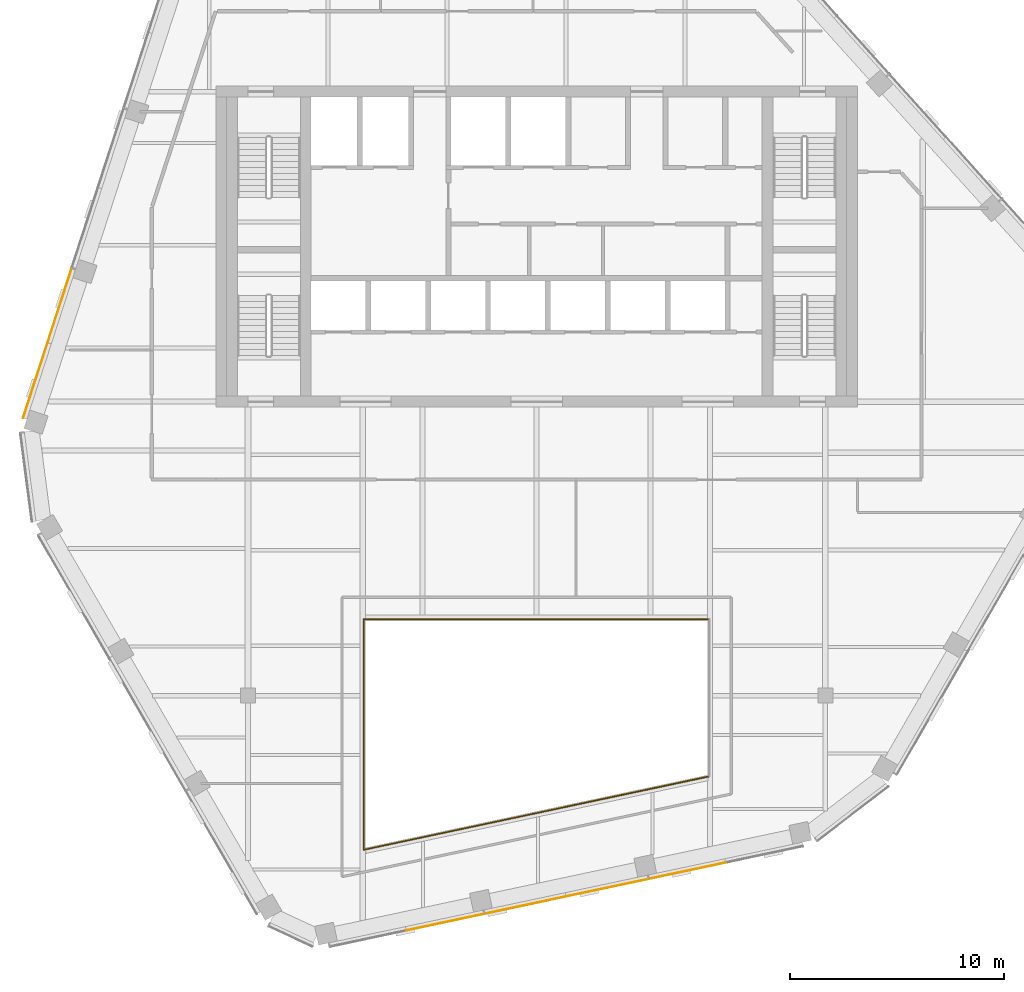
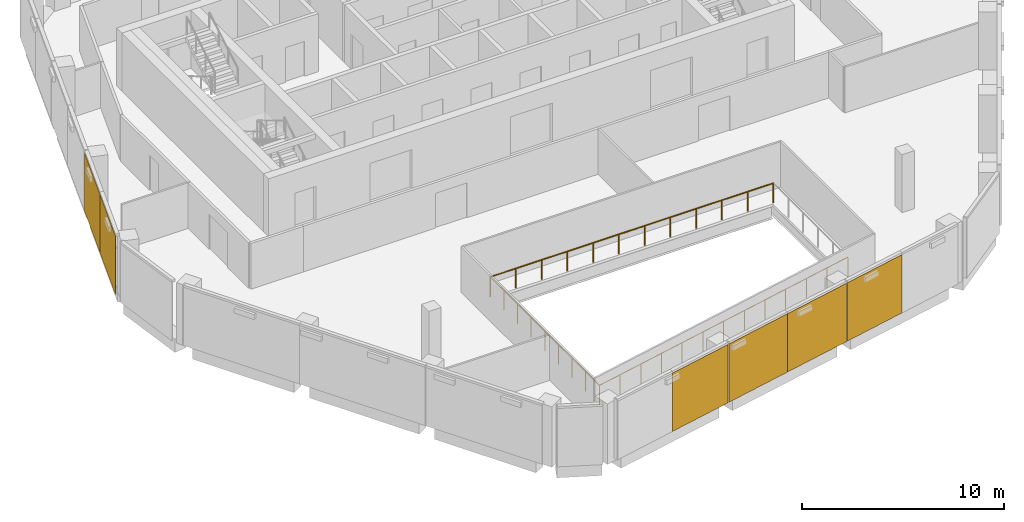
# One storey, part 11 of 15: 6 coverings, 3 railings, 2 elements without a shape of their own.
"""IFC4 building model written with IfcOpenShell, lengths in metres."""

from ifc_helpers import new_model, si_unit, direction, frame, origin, origin_2d, place, context, subcontext, project, spatial, rectangle, circle, extrude, material, layer, layer_set, type_object, element, aggregate, save


model = new_model("IFC4")

# Units and contexts
model_context = context("Model", 3, precision=1e-05, world=origin(), true_north=direction((0.0, 1.0)))
body_context = subcontext(model_context, "Body", "Model", "MODEL_VIEW")
ifc_project = project(units=[si_unit("LENGTHUNIT", "METRE"), si_unit("AREAUNIT", "SQUARE_METRE"), si_unit("VOLUMEUNIT", "CUBIC_METRE"), si_unit("PLANEANGLEUNIT", "RADIAN"), si_unit("MASSUNIT", "GRAM", prefix="KILO")], contexts=[model_context])

# Site, building, storey
site_placement = place(None, origin())
site = spatial("IfcSite", under=ifc_project, at=site_placement, CompositionType="ELEMENT")
building_placement = place(site_placement, origin())
building = spatial("IfcBuilding", under=site, at=building_placement, Name="Isthmus Gate Tower", CompositionType="ELEMENT")
storey_placement = place(building_placement, frame((0.0, 0.0, 290.14990234375)))
storey = spatial("IfcBuildingStorey", under=building, at=storey_placement, Name="L74", CompositionType="ELEMENT", Elevation=290.14990234375)

# Railings
ifc_material_1 = material(Name="Laminated toughened glass balustrade with steel rail", Category="steel")
railing_type = type_object("IfcRailingType", Name="ATRIUM GUARD GLASS BALUSTRADE 1200", PredefinedType="GUARDRAIL", material=ifc_material_1)
railing_1_placement = place(storey_placement, frame((-8.080078125, -20.7099609375, 0.0)))
element("IfcRailing", 1, at=railing_1_placement, inside=storey, type_object=railing_type, Name="L74 atrium guard", PredefinedType="GUARDRAIL", context=body_context, shape_type="SweptSolid", body=[
    extrude(circle(Radius=0.02490234375, at=origin_2d()), frame((0.0, 0.0, 1.1748046875), z_axis=(0.0, 1.0, 0.0), x_axis=(-1.0, 0.0, 0.0)), (0.0, 0.0, 1.0), 10.7900390625),
    extrude(circle(Radius=0.02490234375, at=origin_2d()), origin(), (0.0, 0.0, 1.0), 1.14990234375),
    extrude(circle(Radius=0.02490234375, at=origin_2d()), frame((0.0, 1.3486328125, 0.0)), (0.0, 0.0, 1.0), 1.14990234375),
    extrude(circle(Radius=0.02490234375, at=origin_2d()), frame((0.0, 2.697509765625, 0.0)), (0.0, 0.0, 1.0), 1.14990234375),
    extrude(circle(Radius=0.02490234375, at=origin_2d()), frame((0.0, 4.04638671875, 0.0)), (0.0, 0.0, 1.0), 1.14990234375),
    extrude(circle(Radius=0.02490234375, at=origin_2d()), frame((0.0, 5.39501953125, 0.0)), (0.0, 0.0, 1.0), 1.14990234375),
    extrude(circle(Radius=0.02490234375, at=origin_2d()), frame((0.0, 6.74365234375, 0.0)), (0.0, 0.0, 1.0), 1.14990234375),
    extrude(circle(Radius=0.02490234375, at=origin_2d()), frame((0.0, 8.092529296875, 0.0)), (0.0, 0.0, 1.0), 1.14990234375),
    extrude(circle(Radius=0.02490234375, at=origin_2d()), frame((0.0, 9.44140625, 0.0)), (0.0, 0.0, 1.0), 1.14990234375),
    extrude(circle(Radius=0.02490234375, at=origin_2d()), frame((0.0, 10.7900390625, 0.0)), (0.0, 0.0, 1.0), 1.14990234375),
])
railing_2_placement = place(storey_placement, frame((-8.080078125, -9.919921875, 0.0)))
element("IfcRailing", 2, at=railing_2_placement, inside=storey, type_object=railing_type, Name="L74 atrium guard", PredefinedType="GUARDRAIL", context=body_context, shape_type="SweptSolid", body=[
    extrude(circle(Radius=0.02490234375, at=origin_2d()), frame((0.0, 0.0, 1.1748046875), z_axis=(1.0, 0.0, 0.0), x_axis=(0.0, 1.0, 0.0)), (0.0, 0.0, 1.0), 16.16015625),
    extrude(circle(Radius=0.02490234375, at=origin_2d()), origin(), (0.0, 0.0, 1.0), 1.14990234375),
    extrude(circle(Radius=0.02490234375, at=origin_2d()), frame((1.468994140625, 0.0, 0.0)), (0.0, 0.0, 1.0), 1.14990234375),
    extrude(circle(Radius=0.02490234375, at=origin_2d()), frame((2.938232421875, 0.0, 0.0)), (0.0, 0.0, 1.0), 1.14990234375),
    extrude(circle(Radius=0.02490234375, at=origin_2d()), frame((4.4072265625, 0.0, 0.0)), (0.0, 0.0, 1.0), 1.14990234375),
    extrude(circle(Radius=0.02490234375, at=origin_2d()), frame((5.87646484375, 0.0, 0.0)), (0.0, 0.0, 1.0), 1.14990234375),
    extrude(circle(Radius=0.02490234375, at=origin_2d()), frame((7.345458984375, 0.0, 0.0)), (0.0, 0.0, 1.0), 1.14990234375),
    extrude(circle(Radius=0.02490234375, at=origin_2d()), frame((8.814697265625, 0.0, 0.0)), (0.0, 0.0, 1.0), 1.14990234375),
    extrude(circle(Radius=0.02490234375, at=origin_2d()), frame((10.28369140625, 0.0, 0.0)), (0.0, 0.0, 1.0), 1.14990234375),
    extrude(circle(Radius=0.02490234375, at=origin_2d()), frame((11.7529296875, 0.0, 0.0)), (0.0, 0.0, 1.0), 1.14990234375),
    extrude(circle(Radius=0.02490234375, at=origin_2d()), frame((13.221923828125, 0.0, 0.0)), (0.0, 0.0, 1.0), 1.14990234375),
    extrude(circle(Radius=0.02490234375, at=origin_2d()), frame((14.691162109375, 0.0, 0.0)), (0.0, 0.0, 1.0), 1.14990234375),
    extrude(circle(Radius=0.02490234375, at=origin_2d()), frame((16.16015625, 0.0, 0.0)), (0.0, 0.0, 1.0), 1.14990234375),
])
railing_3_placement = place(storey_placement, frame((8.080078125, -17.27490234375, 0.0)))
element("IfcRailing", 3, at=railing_3_placement, inside=storey, type_object=railing_type, Name="L74 atrium guard", PredefinedType="GUARDRAIL", context=body_context, shape_type="SweptSolid", body=[
    extrude(circle(Radius=0.02490234375, at=origin_2d()), frame((0.0, 0.0, 1.1748046875), z_axis=(-0.978146230105, -0.207918139013, 0.0), x_axis=(0.207918139013, -0.978146230105, 0.0)), (0.0, 0.0, 1.0), 16.521240234375),
    extrude(circle(Radius=0.02490234375, at=origin_2d()), origin(), (0.0, 0.0, 1.0), 1.14990234375),
    extrude(circle(Radius=0.02490234375, at=origin_2d()), frame((-1.3466796875, -0.2861328125, 0.0)), (0.0, 0.0, 1.0), 1.14990234375),
    extrude(circle(Radius=0.02490234375, at=origin_2d()), frame((-2.693359375, -0.572509765625, 0.0)), (0.0, 0.0, 1.0), 1.14990234375),
    extrude(circle(Radius=0.02490234375, at=origin_2d()), frame((-4.0400390625, -0.85888671875, 0.0)), (0.0, 0.0, 1.0), 1.14990234375),
    extrude(circle(Radius=0.02490234375, at=origin_2d()), frame((-5.38671875, -1.14501953125, 0.0)), (0.0, 0.0, 1.0), 1.14990234375),
    extrude(circle(Radius=0.02490234375, at=origin_2d()), frame((-6.7333984375, -1.43115234375, 0.0)), (0.0, 0.0, 1.0), 1.14990234375),
    extrude(circle(Radius=0.02490234375, at=origin_2d()), frame((-8.080078125, -1.717529296875, 0.0)), (0.0, 0.0, 1.0), 1.14990234375),
    extrude(circle(Radius=0.02490234375, at=origin_2d()), frame((-9.4267578125, -2.00390625, 0.0)), (0.0, 0.0, 1.0), 1.14990234375),
    extrude(circle(Radius=0.02490234375, at=origin_2d()), frame((-10.7734375, -2.2900390625, 0.0)), (0.0, 0.0, 1.0), 1.14990234375),
    extrude(circle(Radius=0.02490234375, at=origin_2d()), frame((-12.1201171875, -2.576171875, 0.0)), (0.0, 0.0, 1.0), 1.14990234375),
    extrude(circle(Radius=0.02490234375, at=origin_2d()), frame((-13.466796875, -2.862548828125, 0.0)), (0.0, 0.0, 1.0), 1.14990234375),
    extrude(circle(Radius=0.02490234375, at=origin_2d()), frame((-14.8134765625, -3.14892578125, 0.0)), (0.0, 0.0, 1.0), 1.14990234375),
    extrude(circle(Radius=0.02490234375, at=origin_2d()), frame((-16.16015625, -3.43505859375, 0.0)), (0.0, 0.0, 1.0), 1.14990234375),
])

# Curtain wall, coverings
ifc_material_2 = material(Name="Aluminium, pale champagne anodised", Category="aluminium")
ifc_layer_1 = layer(ifc_material_2, 0.199951171875)
ifc_layer_set_1 = layer_set([ifc_layer_1], Name="CW-1 UNITISED CURTAIN WALL 200 DEEP")
curtain_wall_type = type_object("IfcCurtainWallType", Name="CW-1 UNITISED CURTAIN WALL 200 DEEP", PredefinedType="NOTDEFINED", material=ifc_layer_set_1)
curtain_wall_1_placement = place(storey_placement, origin())
curtain_wall_1 = element("IfcCurtainWall", 4, at=curtain_wall_1_placement, inside=storey, type_object=curtain_wall_type, Name="CW-1 NW L74", PredefinedType="NOTDEFINED")
ifc_material_3 = material(Name="Aluminium composite panel, pale champagne anodised", Category="aluminium")
ifc_layer_2 = layer(ifc_material_3, 0.031982421875)
ifc_layer_set_2 = layer_set([ifc_layer_2], Name="CW-1 PALE METAL PANEL 32")
covering_type = type_object("IfcCoveringType", Name="CW-1 PALE METAL PANEL 32", PredefinedType="CLADDING", material=ifc_layer_set_2)
covering_1_placement = place(storey_placement, frame((-22.309326171875, 4.737548828125, 0.0), z_axis=(0.0, 0.0, 1.0), x_axis=(-0.309016994375, -0.951056516295, 0.0)))
covering_1 = element("IfcCovering", 5, at=covering_1_placement, type_object=covering_type, Name="CW-1 pale metal panel", PredefinedType="CLADDING", context=body_context, shape_type="SweptSolid", body=[
    extrude(rectangle(XDim=3.643310546875, YDim=0.031982421875, at=origin_2d()), origin(), (0.0, 0.0, 1.0), 3.52001953125),
])
covering_2_placement = place(storey_placement, frame((-23.4443359375, 1.244140625, 0.0), z_axis=(0.0, 0.0, 1.0), x_axis=(-0.309016994375, -0.951056516295, 0.0)))
covering_2 = element("IfcCovering", 6, at=covering_2_placement, type_object=covering_type, Name="CW-1 pale metal panel", PredefinedType="CLADDING", context=body_context, shape_type="SweptSolid", body=[
    extrude(rectangle(XDim=3.703369140625, YDim=0.031982421875, at=origin_2d()), origin(), (0.0, 0.0, 1.0), 3.52001953125),
])
aggregate(curtain_wall_1, [covering_1, covering_2])

curtain_wall_2_placement = place(storey_placement, origin())
curtain_wall_2 = element("IfcCurtainWall", 7, at=curtain_wall_2_placement, inside=storey, type_object=curtain_wall_type, Name="CW-1 S L74", PredefinedType="NOTDEFINED")
covering_3_placement = place(storey_placement, frame((-4.28515625, -24.098876953125, 0.0), z_axis=(0.0, 0.0, 1.0), x_axis=(0.978147600734, 0.207911690818, 0.0)))
covering_3 = element("IfcCovering", 8, at=covering_3_placement, type_object=covering_type, Name="CW-1 pale metal panel", PredefinedType="CLADDING", context=body_context, shape_type="SweptSolid", body=[
    extrude(rectangle(XDim=3.703369140625, YDim=0.031982421875, at=origin_2d()), origin(), (0.0, 0.0, 1.0), 3.52001953125),
])
covering_4_placement = place(storey_placement, frame((-0.5234375, -23.29931640625, 0.0), z_axis=(0.0, 0.0, 1.0), x_axis=(0.978147600734, 0.207911690818, 0.0)))
covering_4 = element("IfcCovering", 9, at=covering_4_placement, type_object=covering_type, Name="CW-1 pale metal panel", PredefinedType="CLADDING", context=body_context, shape_type="SweptSolid", body=[
    extrude(rectangle(XDim=3.868408203125, YDim=0.031982421875, at=origin_2d()), origin(), (0.0, 0.0, 1.0), 3.52001953125),
])
covering_5_placement = place(storey_placement, frame((3.289794921875, -22.48876953125, 0.0), z_axis=(0.0, 0.0, 1.0), x_axis=(0.978147600734, 0.207911690818, 0.0)))
covering_5 = element("IfcCovering", 10, at=covering_5_placement, type_object=covering_type, Name="CW-1 pale metal panel", PredefinedType="CLADDING", context=body_context, shape_type="SweptSolid", body=[
    extrude(rectangle(XDim=3.928466796875, YDim=0.031982421875, at=origin_2d()), origin(), (0.0, 0.0, 1.0), 3.52001953125),
])
covering_6_placement = place(storey_placement, frame((7.0517578125, -21.689208984375, 0.0), z_axis=(0.0, 0.0, 1.0), x_axis=(0.978147600734, 0.207911690818, 0.0)))
covering_6 = element("IfcCovering", 11, at=covering_6_placement, type_object=covering_type, Name="CW-1 pale metal panel", PredefinedType="CLADDING", context=body_context, shape_type="SweptSolid", body=[
    extrude(rectangle(XDim=3.643310546875, YDim=0.031982421875, at=origin_2d()), origin(), (0.0, 0.0, 1.0), 3.52001953125),
])
aggregate(curtain_wall_2, [covering_3, covering_4, covering_5, covering_6])

save(model, "model.ifc")
